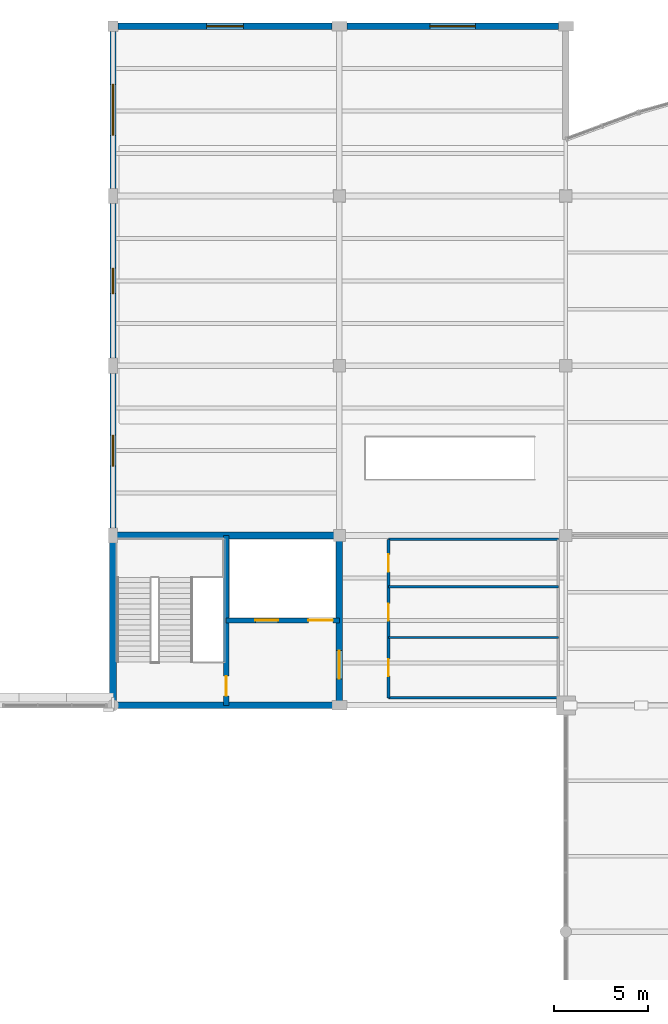
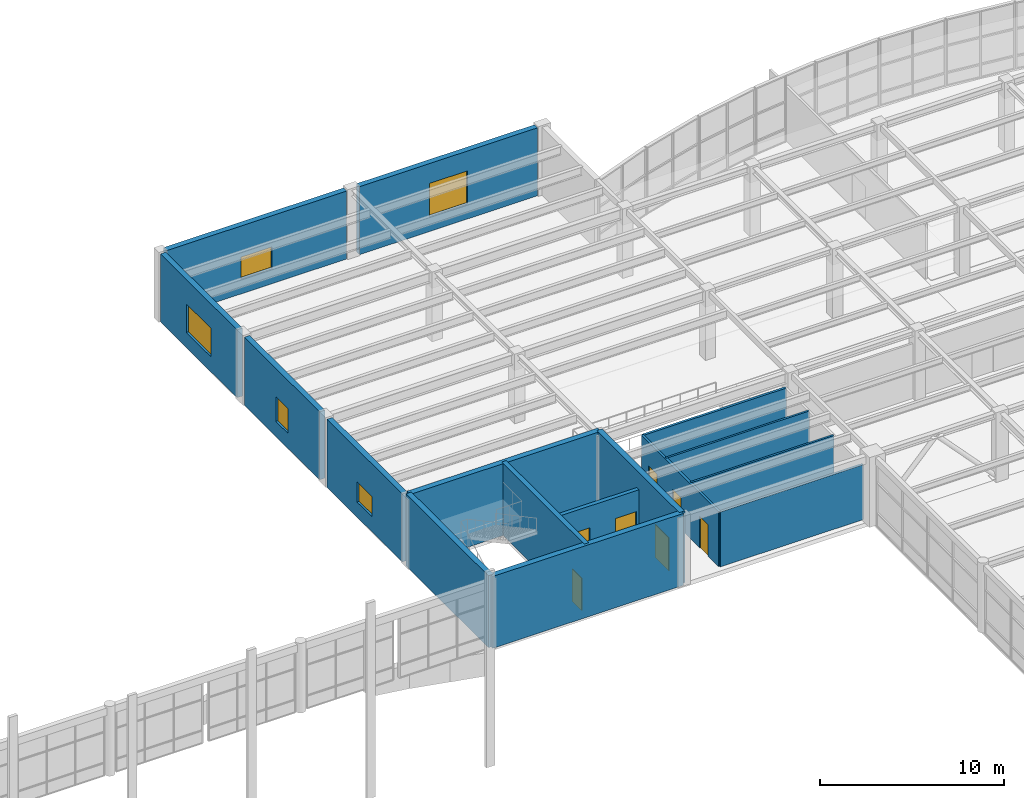
# One storey, part 46 of 63: 16 walls, 7 doors, 5 windows, 12 openings.
"""IFC4 building model written with IfcOpenShell, lengths in metres."""

from ifc_helpers import new_model, si_unit, direction, frame, frame_2d, origin, place, context, subcontext, project, spatial, rectangle, extrude, material, layer, layer_set, type_object, element, fill, save


model = new_model("IFC4")

# Units and contexts
model_context = context("Model", 3, precision=1e-05, world=origin(), true_north=direction((0.0, 1.0)))
body_context = subcontext(model_context, "Body", "Model", "MODEL_VIEW")
ifc_project = project(units=[si_unit("LENGTHUNIT", "METRE"), si_unit("AREAUNIT", "SQUARE_METRE"), si_unit("VOLUMEUNIT", "CUBIC_METRE"), si_unit("PLANEANGLEUNIT", "RADIAN"), si_unit("MASSUNIT", "GRAM", prefix="KILO")], contexts=[model_context])

# Site, building, storey
site_placement = place(None, origin())
site = spatial("IfcSite", under=ifc_project, at=site_placement, CompositionType="ELEMENT")
building_placement = place(site_placement, origin())
building = spatial("IfcBuilding", under=site, at=building_placement, Name="Keelwater Ferry Terminal", CompositionType="ELEMENT")
storey_placement = place(building_placement, frame((0.0, 0.0, 10.199951171875)))
storey = spatial("IfcBuildingStorey", under=building, at=storey_placement, Name="L02", CompositionType="ELEMENT", Elevation=10.199951171875)

# Wall, opening, window
ifc_material_1 = material(Name="Precast concrete C40/50", Category="concrete")
ifc_layer_1 = layer(ifc_material_1, 0.340087890625)
ifc_layer_set_1 = layer_set([ifc_layer_1], Name="Precast concrete C40/50")
wall_type_1 = type_object("IfcWallType", Name="EW-LM340 External Solid Wall 340", PredefinedType="SOLIDWALL", material=ifc_layer_set_1)
wall_1_placement = place(storey_placement, frame((108.0, 107.60009765625, 0.0), z_axis=(0.0, 0.0, 1.0), x_axis=(0.0, -1.0, 0.0)))
wall_1 = element("IfcWall", 1, at=wall_1_placement, inside=storey, type_object=wall_type_1, Name="External Wall WL-L02-0101", PredefinedType="SOLIDWALL", context=body_context, shape_type="SweptSolid", body=[
    extrude(rectangle(XDim=8.2001953125, YDim=0.340087890625, at=frame_2d((4.10009765625, 0.0))), origin(), (0.0, 0.0, 1.0), 4.52001953125),
])
opening_1_placement = place(wall_1_placement, frame((3.27490234375, 0.0, 1.0)))
opening_1 = element("IfcOpeningElement", 2, at=opening_1_placement, cuts=wall_1, Name="Opening WN-29", PredefinedType="OPENING", context=body_context, shape_type="SweptSolid", body=[
    extrude(rectangle(XDim=1.64990234375, YDim=1.35009765625, at=frame_2d((0.824951171875, 0.675048828125))), frame((0.0, 0.179931640625, 0.0), z_axis=(0.0, -1.0, 0.0), x_axis=(1.0, 0.0, 0.0)), (0.0, 0.0, 1.0), 0.360107421875),
])
ifc_material_2 = material(Name="Triple low-E glass in thermally broken aluminium frame", Category="aluminium")
window_type_1 = type_object("IfcWindowType", Name="WN-29 Exterior Window 1650x1350", PartitioningType="SINGLE_PANEL", PredefinedType="WINDOW", material=ifc_material_2)
window_1_placement = place(opening_1_placement, origin())
window_1 = element("IfcWindow", 3, at=window_1_placement, inside=storey, type_object=window_type_1, Name="Window WN-L02-0064", OverallHeight=1.35009765625, OverallWidth=1.64990234375, PartitioningType="SINGLE_PANEL", PredefinedType="WINDOW", context=body_context, shape_type="SweptSolid", body=[
    extrude(rectangle(XDim=1.64990234375, YDim=1.35009765625, at=frame_2d((0.824951171875, 0.675048828125))), frame((0.0, 0.030029296875, 0.0), z_axis=(0.0, -1.0, 0.0), x_axis=(1.0, 0.0, 0.0)), (0.0, 0.0, 1.0), 0.06005859375),
])
fill(opening_1, window_1)

wall_2_placement = place(storey_placement, frame((108.0, 116.60009765625, 0.0), z_axis=(0.0, 0.0, 1.0), x_axis=(0.0, -1.0, 0.0)))
wall_2 = element("IfcWall", 4, at=wall_2_placement, inside=storey, type_object=wall_type_1, Name="External Wall WL-L02-0102", PredefinedType="SOLIDWALL", context=body_context, shape_type="SweptSolid", body=[
    extrude(rectangle(XDim=8.2001953125, YDim=0.340087890625, at=frame_2d((4.10009765625, 0.0))), origin(), (0.0, 0.0, 1.0), 4.52001953125),
])
opening_2_placement = place(wall_2_placement, frame((3.425048828125, 0.0, 1.0)))
opening_2 = element("IfcOpeningElement", 5, at=opening_2_placement, cuts=wall_2, Name="Opening WN-30", PredefinedType="OPENING", context=body_context, shape_type="SweptSolid", body=[
    extrude(rectangle(XDim=1.35009765625, YDim=1.64990234375, at=frame_2d((0.675048828125, 0.824951171875))), frame((0.0, 0.179931640625, 0.0), z_axis=(0.0, -1.0, 0.0), x_axis=(1.0, 0.0, 0.0)), (0.0, 0.0, 1.0), 0.360107421875),
])
ifc_material_3 = material(Name="Triple low-E glass in thermally broken aluminium frame", Category="aluminium")
window_type_2 = type_object("IfcWindowType", Name="WN-30 Exterior Window 1350x1650", PartitioningType="SINGLE_PANEL", PredefinedType="WINDOW", material=ifc_material_3)
window_2_placement = place(opening_2_placement, origin())
window_2 = element("IfcWindow", 6, at=window_2_placement, inside=storey, type_object=window_type_2, Name="Window WN-L02-0065", OverallHeight=1.64990234375, OverallWidth=1.35009765625, PartitioningType="SINGLE_PANEL", PredefinedType="WINDOW", context=body_context, shape_type="SweptSolid", body=[
    extrude(rectangle(XDim=1.35009765625, YDim=1.64990234375, at=frame_2d((0.675048828125, 0.824951171875))), frame((0.0, 0.030029296875, 0.0), z_axis=(0.0, -1.0, 0.0), x_axis=(1.0, 0.0, 0.0)), (0.0, 0.0, 1.0), 0.06005859375),
])
fill(opening_2, window_2)

wall_3_placement = place(storey_placement, frame((108.0, 125.72509765625, 0.0), z_axis=(0.0, 0.0, 1.0), x_axis=(0.0, -1.0, 0.0)))
wall_3 = element("IfcWall", 7, at=wall_3_placement, inside=storey, type_object=wall_type_1, Name="External Wall WL-L02-0103", PredefinedType="SOLIDWALL", context=body_context, shape_type="SweptSolid", body=[
    extrude(rectangle(XDim=8.3251953125, YDim=0.340087890625, at=frame_2d((4.16259765625, 0.0))), origin(), (0.0, 0.0, 1.0), 4.52001953125),
])
opening_3_placement = place(wall_3_placement, frame((2.81201171875, 0.0, 1.0)))
opening_3 = element("IfcOpeningElement", 8, at=opening_3_placement, cuts=wall_3, Name="Opening WN-31", PredefinedType="OPENING", context=body_context, shape_type="SweptSolid", body=[
    extrude(rectangle(XDim=2.699951171875, YDim=1.89990234375, at=frame_2d((1.35009765625, 0.949951171875))), frame((0.0, 0.179931640625, 0.0), z_axis=(0.0, -1.0, 0.0), x_axis=(1.0, 0.0, 0.0)), (0.0, 0.0, 1.0), 0.360107421875),
])
ifc_material_4 = material(Name="Triple low-E glass in thermally broken aluminium frame", Category="aluminium")
window_type_3 = type_object("IfcWindowType", Name="WN-31 Exterior Window 2700x1900", PartitioningType="SINGLE_PANEL", PredefinedType="WINDOW", material=ifc_material_4)
window_3_placement = place(opening_3_placement, origin())
window_3 = element("IfcWindow", 9, at=window_3_placement, inside=storey, type_object=window_type_3, Name="Window WN-L02-0066", OverallHeight=1.89990234375, OverallWidth=2.699951171875, PartitioningType="SINGLE_PANEL", PredefinedType="WINDOW", context=body_context, shape_type="SweptSolid", body=[
    extrude(rectangle(XDim=2.699951171875, YDim=1.89990234375, at=frame_2d((1.35009765625, 0.949951171875))), frame((0.0, 0.030029296875, 0.0), z_axis=(0.0, -1.0, 0.0), x_axis=(1.0, 0.0, 0.0)), (0.0, 0.0, 1.0), 0.06005859375),
])
fill(opening_3, window_3)

wall_4_placement = place(storey_placement, frame((108.27490234375, 126.0, 0.0), z_axis=(0.0, 0.0, 1.0), x_axis=(1.0, 0.0, 0.0)))
wall_4 = element("IfcWall", 10, at=wall_4_placement, inside=storey, type_object=wall_type_1, Name="External Wall WL-L02-0106", PredefinedType="SOLIDWALL", context=body_context, shape_type="SweptSolid", body=[
    extrude(rectangle(XDim=11.3251953125, YDim=0.340087890625, at=frame_2d((5.66259765625, 0.0))), origin(), (0.0, 0.0, 1.0), 4.52001953125),
])
opening_4_placement = place(wall_4_placement, frame((4.68701171875, 0.0, 1.0)))
opening_4 = element("IfcOpeningElement", 11, at=opening_4_placement, cuts=wall_4, Name="Opening WN-32", PredefinedType="OPENING", context=body_context, shape_type="SweptSolid", body=[
    extrude(rectangle(XDim=1.949951171875, YDim=1.449951171875, at=frame_2d((0.97509765625, 0.72509765625))), frame((0.0, 0.179931640625, 0.0), z_axis=(0.0, -1.0, 0.0), x_axis=(1.0, 0.0, 0.0)), (0.0, 0.0, 1.0), 0.360107421875),
])
ifc_material_5 = material(Name="Triple low-E glass in thermally broken aluminium frame", Category="aluminium")
window_type_4 = type_object("IfcWindowType", Name="WN-32 Exterior Window 1950x1450", PartitioningType="SINGLE_PANEL", PredefinedType="WINDOW", material=ifc_material_5)
window_4_placement = place(opening_4_placement, origin())
window_4 = element("IfcWindow", 12, at=window_4_placement, inside=storey, type_object=window_type_4, Name="Window WN-L02-0067", OverallHeight=1.449951171875, OverallWidth=1.949951171875, PartitioningType="SINGLE_PANEL", PredefinedType="WINDOW", context=body_context, shape_type="SweptSolid", body=[
    extrude(rectangle(XDim=1.949951171875, YDim=1.449951171875, at=frame_2d((0.97509765625, 0.72509765625))), frame((0.0, 0.030029296875, 0.0), z_axis=(0.0, -1.0, 0.0), x_axis=(1.0, 0.0, 0.0)), (0.0, 0.0, 1.0), 0.06005859375),
])
fill(opening_4, window_4)

wall_5_placement = place(storey_placement, frame((120.39990234375, 126.0, 0.0), z_axis=(0.0, 0.0, 1.0), x_axis=(1.0, 0.0, 0.0)))
wall_5 = element("IfcWall", 13, at=wall_5_placement, inside=storey, type_object=wall_type_1, Name="External Wall WL-L02-0107", PredefinedType="SOLIDWALL", context=body_context, shape_type="SweptSolid", body=[
    extrude(rectangle(XDim=11.2001953125, YDim=0.340087890625, at=frame_2d((5.60009765625, 0.0))), origin(), (0.0, 0.0, 1.0), 4.52001953125),
])
opening_5_placement = place(wall_5_placement, frame((4.39990234375, 0.0, 1.0)))
opening_5 = element("IfcOpeningElement", 14, at=opening_5_placement, cuts=wall_5, Name="Opening WN-01", PredefinedType="OPENING", context=body_context, shape_type="SweptSolid", body=[
    extrude(rectangle(XDim=2.39990234375, YDim=2.199951171875, at=frame_2d((1.199951171875, 1.10009765625))), frame((0.0, 0.179931640625, 0.0), z_axis=(0.0, -1.0, 0.0), x_axis=(1.0, 0.0, 0.0)), (0.0, 0.0, 1.0), 0.360107421875),
])
ifc_material_6 = material(Name="Triple low-E glass in thermally broken aluminium frame", Category="aluminium")
window_type_5 = type_object("IfcWindowType", Name="WN-01 Exterior Window 2400x2200", PartitioningType="SINGLE_PANEL", PredefinedType="WINDOW", material=ifc_material_6)
window_5_placement = place(opening_5_placement, origin())
window_5 = element("IfcWindow", 15, at=window_5_placement, inside=storey, type_object=window_type_5, Name="Window WN-L02-0068", OverallHeight=2.199951171875, OverallWidth=2.39990234375, PartitioningType="SINGLE_PANEL", PredefinedType="WINDOW", context=body_context, shape_type="SweptSolid", body=[
    extrude(rectangle(XDim=2.39990234375, YDim=2.199951171875, at=frame_2d((1.199951171875, 1.10009765625))), frame((0.0, 0.030029296875, 0.0), z_axis=(0.0, -1.0, 0.0), x_axis=(1.0, 0.0, 0.0)), (0.0, 0.0, 1.0), 0.06005859375),
])
fill(opening_5, window_5)

# Wall, openings, doors
ifc_material_7 = material(Name="Concrete C40/50", Category="concrete")
ifc_layer_2 = layer(ifc_material_7, 0.25)
ifc_layer_set_2 = layer_set([ifc_layer_2], Name="Concrete C40/50")
wall_type_2 = type_object("IfcWallType", Name="IW-250 Solid Wall 250", PredefinedType="SOLIDWALL", material=ifc_layer_set_2)
wall_6_placement = place(storey_placement, frame((120.0, 94.5, 0.0), z_axis=(0.0, 0.0, 1.0), x_axis=(-1.0, 0.0, 0.0)))
wall_6 = element("IfcWall", 16, at=wall_6_placement, inside=storey, type_object=wall_type_2, Name="Interior Wall WL-INT-L02-0036", PredefinedType="SOLIDWALL", context=body_context, shape_type="SweptSolid", body=[
    extrude(rectangle(XDim=6.0, YDim=0.25, at=frame_2d((3.0, 0.0))), origin(), (0.0, 0.0, 1.0), 3.650146484375),
])
opening_6_placement = place(wall_6_placement, frame((0.35009765625, 0.0, 0.0)))
opening_6 = element("IfcOpeningElement", 17, at=opening_6_placement, cuts=wall_6, Name="Opening LD-011", PredefinedType="OPENING", context=body_context, shape_type="SweptSolid", body=[
    extrude(rectangle(XDim=1.300048828125, YDim=2.25, at=frame_2d((0.64990234375, 1.125))), frame((0.0, 0.135009765625, 0.0), z_axis=(0.0, -1.0, 0.0), x_axis=(1.0, 0.0, 0.0)), (0.0, 0.0, 1.0), 0.27001953125),
])
opening_7_placement = place(wall_6_placement, frame((3.25, 0.0, 0.0)))
opening_7 = element("IfcOpeningElement", 18, at=opening_7_placement, cuts=wall_6, Name="Opening LD-012", PredefinedType="OPENING", context=body_context, shape_type="SweptSolid", body=[
    extrude(rectangle(XDim=1.199951171875, YDim=2.199951171875, at=frame_2d((0.60009765625, 1.10009765625))), frame((0.0, 0.135009765625, 0.0), z_axis=(0.0, -1.0, 0.0), x_axis=(1.0, 0.0, 0.0)), (0.0, 0.0, 1.0), 0.27001953125),
])
ifc_material_8 = material(Name="Stainless steel sliding landing doors", Category="steel")
door_type_1 = type_object("IfcDoorType", Name="LD-T2 Lift Landing Door 1200x2200", OperationType="DOUBLE_DOOR_SLIDING", PredefinedType="USERDEFINED", material=ifc_material_8)
door_1_placement = place(opening_7_placement, origin())
door_1 = element("IfcDoor", 19, at=door_1_placement, inside=storey, type_object=door_type_1, Name="Door LD-012", ObjectType="LANDING DOOR", OperationType="DOUBLE_DOOR_SLIDING", OverallHeight=2.199951171875, OverallWidth=1.199951171875, PredefinedType="USERDEFINED", context=body_context, shape_type="SweptSolid", body=[
    extrude(rectangle(XDim=1.199951171875, YDim=2.199951171875, at=frame_2d((0.60009765625, 1.10009765625))), frame((0.0, 0.02490234375, 0.0), z_axis=(0.0, -1.0, 0.0), x_axis=(1.0, 0.0, 0.0)), (0.0, 0.0, 1.0), 0.050048828125),
])
fill(opening_7, door_1)
ifc_material_9 = material(Name="Stainless steel sliding landing doors", Category="steel")
door_type_2 = type_object("IfcDoorType", Name="LD-T3 Lift Landing Door 1300x2250", OperationType="DOUBLE_DOOR_SLIDING", PredefinedType="USERDEFINED", material=ifc_material_9)
door_2_placement = place(opening_6_placement, origin())
door_2 = element("IfcDoor", 20, at=door_2_placement, inside=storey, type_object=door_type_2, Name="Door LD-011", ObjectType="LANDING DOOR", OperationType="DOUBLE_DOOR_SLIDING", OverallHeight=2.25, OverallWidth=1.300048828125, PredefinedType="USERDEFINED", context=body_context, shape_type="SweptSolid", body=[
    extrude(rectangle(XDim=1.300048828125, YDim=2.25, at=frame_2d((0.64990234375, 1.125))), frame((0.0, 0.02490234375, 0.0), z_axis=(0.0, -1.0, 0.0), x_axis=(1.0, 0.0, 0.0)), (0.0, 0.0, 1.0), 0.050048828125),
])
fill(opening_6, door_2)

# Walls
ifc_material_10 = material(Name="Gypsum board on acoustic steel stud", Category="steel")
ifc_layer_3 = layer(ifc_material_10, 0.125)
ifc_layer_set_3 = layer_set([ifc_layer_3], Name="Gypsum board on acoustic steel stud")
wall_type_3 = type_object("IfcWallType", Name="PT-125 Partition Wall 125", PredefinedType="PARTITIONING", material=ifc_layer_set_3)
for number, where, z_axis, x_axis, name in (
    (21, (122.60009765625, 93.592041015625, 0.0), (0.0, 0.0, 1.0), (1.0, 0.0, 0.0), "Interior Wall WL-INT-L02-0182"),
    (22, (122.60009765625, 96.280029296875, 0.0), (0.0, 0.0, 1.0), (1.0, 0.0, 0.0), "Interior Wall WL-INT-L02-0183"),
):
    element("IfcWall", number, at=place(storey_placement, frame(where, z_axis=z_axis, x_axis=x_axis)), inside=storey, type_object=wall_type_3, Name=name, PredefinedType="PARTITIONING", context=body_context, shape_type="SweptSolid", body=[
        extrude(rectangle(XDim=9.0, YDim=0.125, at=frame_2d((4.5, 0.0))), origin(), (0.0, 0.0, 1.0), 3.650146484375),
    ])

# Wall, openings, doors
ifc_material_11 = material(Name="Gypsum board on acoustic steel stud", Category="steel")
ifc_layer_4 = layer(ifc_material_11, 0.14990234375)
ifc_layer_set_4 = layer_set([ifc_layer_4], Name="Gypsum board on acoustic steel stud")
wall_type_4 = type_object("IfcWallType", Name="PT-150 Partition Wall 150", PredefinedType="PARTITIONING", material=ifc_layer_set_4)
wall_7_placement = place(storey_placement, frame((122.60009765625, 90.39990234375, 0.0), z_axis=(0.0, 0.0, 1.0), x_axis=(0.0, 1.0, 0.0)))
wall_7 = element("IfcWall", 23, at=wall_7_placement, inside=storey, type_object=wall_type_4, Name="Interior Wall WL-INT-L02-0178", PredefinedType="PARTITIONING", context=body_context, shape_type="SweptSolid", body=[
    extrude(rectangle(XDim=8.400146484375, YDim=0.14990234375, at=frame_2d((4.2001953125, 0.0))), origin(), (0.0, 0.0, 1.0), 3.650146484375),
])
opening_8_placement = place(wall_7_placement, frame((1.14599609375, 0.0, 0.0)))
opening_8 = element("IfcOpeningElement", 24, at=opening_8_placement, cuts=wall_7, Name="Opening WD-016", PredefinedType="OPENING", context=body_context, shape_type="SweptSolid", body=[
    extrude(rectangle(XDim=0.89990234375, YDim=2.10009765625, at=frame_2d((0.449951171875, 1.050048828125))), frame((0.0, 0.0849609375, 0.0), z_axis=(0.0, -1.0, 0.0), x_axis=(1.0, 0.0, 0.0)), (0.0, 0.0, 1.0), 0.169921875),
])
opening_9_placement = place(wall_7_placement, frame((4.0859375, 0.0, 0.0)))
opening_9 = element("IfcOpeningElement", 25, at=opening_9_placement, cuts=wall_7, Name="Opening WD-017", PredefinedType="OPENING", context=body_context, shape_type="SweptSolid", body=[
    extrude(rectangle(XDim=0.89990234375, YDim=2.10009765625, at=frame_2d((0.449951171875, 1.050048828125))), frame((0.0, 0.0849609375, 0.0), z_axis=(0.0, -1.0, 0.0), x_axis=(1.0, 0.0, 0.0)), (0.0, 0.0, 1.0), 0.169921875),
])
opening_10_placement = place(wall_7_placement, frame((6.679931640625, 0.0, 0.0)))
opening_10 = element("IfcOpeningElement", 26, at=opening_10_placement, cuts=wall_7, Name="Opening WD-018", PredefinedType="OPENING", context=body_context, shape_type="SweptSolid", body=[
    extrude(rectangle(XDim=0.919921875, YDim=2.10009765625, at=frame_2d((0.4599609375, 1.050048828125))), frame((0.0, 0.0849609375, 0.0), z_axis=(0.0, -1.0, 0.0), x_axis=(1.0, 0.0, 0.0)), (0.0, 0.0, 1.0), 0.169921875),
])
ifc_material_12 = material(Name="Acoustic oak and fire-rated steel frame door", Category="steel")
door_type_3 = type_object("IfcDoorType", Name="ID-09 Pedestrian Door 920x2100", OperationType="NOTDEFINED", PredefinedType="DOOR", material=ifc_material_12)
door_3_placement = place(opening_10_placement, origin())
door_3 = element("IfcDoor", 27, at=door_3_placement, inside=storey, type_object=door_type_3, Name="Door WD-018", OperationType="SINGLE_SWING_RIGHT", OverallHeight=2.10009765625, OverallWidth=0.919921875, PredefinedType="DOOR", context=body_context, shape_type="SweptSolid", body=[
    extrude(rectangle(XDim=0.919921875, YDim=2.10009765625, at=frame_2d((0.4599609375, 1.050048828125))), frame((0.0, 0.02490234375, 0.0), z_axis=(0.0, -1.0, 0.0), x_axis=(1.0, 0.0, 0.0)), (0.0, 0.0, 1.0), 0.050048828125),
])
fill(opening_10, door_3)
ifc_material_13 = material(Name="Acoustic oak and fire-rated steel frame door", Category="steel")
door_type_4 = type_object("IfcDoorType", Name="ID-10 Pedestrian Door 900x2100", OperationType="NOTDEFINED", PredefinedType="DOOR", material=ifc_material_13)
door_4_placement = place(opening_8_placement, origin())
door_4 = element("IfcDoor", 28, at=door_4_placement, inside=storey, type_object=door_type_4, Name="Door WD-016", OperationType="SINGLE_SWING_RIGHT", OverallHeight=2.10009765625, OverallWidth=0.89990234375, PredefinedType="DOOR", context=body_context, shape_type="SweptSolid", body=[
    extrude(rectangle(XDim=0.89990234375, YDim=2.10009765625, at=frame_2d((0.449951171875, 1.050048828125))), frame((0.0, 0.02490234375, 0.0), z_axis=(0.0, -1.0, 0.0), x_axis=(1.0, 0.0, 0.0)), (0.0, 0.0, 1.0), 0.050048828125),
])
fill(opening_8, door_4)
door_5_placement = place(opening_9_placement, origin())
door_5 = element("IfcDoor", 29, at=door_5_placement, inside=storey, type_object=door_type_4, Name="Door WD-017", OperationType="SINGLE_SWING_LEFT", OverallHeight=2.10009765625, OverallWidth=0.89990234375, PredefinedType="DOOR", context=body_context, shape_type="SweptSolid", body=[
    extrude(rectangle(XDim=0.89990234375, YDim=2.10009765625, at=frame_2d((0.449951171875, 1.050048828125))), frame((0.0, 0.02490234375, 0.0), z_axis=(0.0, -1.0, 0.0), x_axis=(1.0, 0.0, 0.0)), (0.0, 0.0, 1.0), 0.050048828125),
])
fill(opening_9, door_5)

# Walls
for number, where, z_axis, x_axis, name in (
    (30, (122.60009765625, 98.800048828125, 0.0), (0.0, 0.0, 1.0), (1.0, 0.0, 0.0), "Interior Wall WL-INT-L02-0180"),
    (31, (122.60009765625, 90.39990234375, 0.0), (0.0, 0.0, 1.0), (1.0, 0.0, 0.0), "Interior Wall WL-INT-L02-0181"),
):
    element("IfcWall", number, at=place(storey_placement, frame(where, z_axis=z_axis, x_axis=x_axis)), inside=storey, type_object=wall_type_4, Name=name, PredefinedType="PARTITIONING", context=body_context, shape_type="SweptSolid", body=[
        extrude(rectangle(XDim=9.0, YDim=0.14990234375, at=frame_2d((4.5, 0.0))), origin(), (0.0, 0.0, 1.0), 3.650146484375),
    ])

# Wall, opening, door
ifc_material_14 = material(Name="Concrete C45/55", Category="concrete")
ifc_layer_5 = layer(ifc_material_14, 0.300048828125)
ifc_layer_set_5 = layer_set([ifc_layer_5], Name="Concrete C45/55")
wall_type_5 = type_object("IfcWallType", Name="SW-300 Shear Wall 300", PredefinedType="SHEAR", material=ifc_layer_set_5)
wall_8_placement = place(storey_placement, frame((114.0, 99.0, 0.0), z_axis=(0.0, 0.0, 1.0), x_axis=(0.0, -1.0, 0.0)))
wall_8 = element("IfcWall", 32, at=wall_8_placement, inside=storey, type_object=wall_type_5, Name="Interior Wall WL-INT-L02-0035", PredefinedType="SHEAR", context=body_context, shape_type="SweptSolid", body=[
    extrude(rectangle(XDim=9.0, YDim=0.300048828125, at=frame_2d((4.5, 0.0))), origin(), (0.0, 0.0, 1.0), 4.780029296875),
])
opening_11_placement = place(wall_8_placement, frame((7.449951171875, 0.0, 0.0)))
opening_11 = element("IfcOpeningElement", 33, at=opening_11_placement, cuts=wall_8, Name="Opening FD-011", PredefinedType="OPENING", context=body_context, shape_type="SweptSolid", body=[
    extrude(rectangle(XDim=1.050048828125, YDim=2.14990234375, at=frame_2d((0.52490234375, 1.074951171875))), frame((0.0, 0.159912109375, 0.0), z_axis=(0.0, -1.0, 0.0), x_axis=(1.0, 0.0, 0.0)), (0.0, 0.0, 1.0), 0.320068359375),
])
ifc_material_15 = material(Name="Acoustic oak and fire-rated steel frame door", Category="steel")
door_type_5 = type_object("IfcDoorType", Name="ID-06 Pedestrian Door 1050x2150", OperationType="NOTDEFINED", PredefinedType="DOOR", material=ifc_material_15)
door_6_placement = place(opening_11_placement, origin())
door_6 = element("IfcDoor", 34, at=door_6_placement, inside=storey, type_object=door_type_5, Name="Door FD-011", OperationType="SINGLE_SWING_LEFT", OverallHeight=2.14990234375, OverallWidth=1.050048828125, PredefinedType="DOOR", context=body_context, shape_type="SweptSolid", body=[
    extrude(rectangle(XDim=1.050048828125, YDim=2.14990234375, at=frame_2d((0.52490234375, 1.074951171875))), frame((0.0, 0.02490234375, 0.0), z_axis=(0.0, -1.0, 0.0), x_axis=(1.0, 0.0, 0.0)), (0.0, 0.0, 1.0), 0.050048828125),
])
fill(opening_11, door_6)

# Walls
ifc_material_16 = material(Name="Concrete C45/55", Category="concrete")
ifc_layer_6 = layer(ifc_material_16, 0.35009765625)
ifc_layer_set_6 = layer_set([ifc_layer_6], Name="Concrete C45/55")
wall_type_6 = type_object("IfcWallType", Name="SW-350 Shear Wall 350", PredefinedType="SHEAR", material=ifc_layer_set_6)
for number, where, z_axis, x_axis, name in (
    (35, (108.0, 90.0, 0.0), (0.0, 0.0, 1.0), (1.0, 0.0, 0.0), "Interior Wall WL-INT-L02-0031"),
    (36, (108.0, 99.0, 0.0), (0.0, 0.0, 1.0), (1.0, 0.0, 0.0), "Interior Wall WL-INT-L02-0032"),
):
    element("IfcWall", number, at=place(storey_placement, frame(where, z_axis=z_axis, x_axis=x_axis)), inside=storey, type_object=wall_type_6, Name=name, PredefinedType="SHEAR", context=body_context, shape_type="SweptSolid", body=[
        extrude(rectangle(XDim=12.0, YDim=0.35009765625, at=frame_2d((6.0, 0.0))), origin(), (0.0, 0.0, 1.0), 4.780029296875),
    ])
wall_9_placement = place(storey_placement, frame((108.0, 90.0, 0.0), z_axis=(0.0, 0.0, 1.0), x_axis=(0.0, 1.0, 0.0)))
element("IfcWall", 37, at=wall_9_placement, inside=storey, type_object=wall_type_6, Name="Interior Wall WL-INT-L02-0033", PredefinedType="SHEAR", context=body_context, shape_type="SweptSolid", body=[
    extrude(rectangle(XDim=9.0, YDim=0.35009765625, at=frame_2d((4.5, 0.0))), origin(), (0.0, 0.0, 1.0), 4.780029296875),
])

# Wall, opening, door
wall_10_placement = place(storey_placement, frame((120.0, 90.0, 0.0), z_axis=(0.0, 0.0, 1.0), x_axis=(0.0, 1.0, 0.0)))
wall_10 = element("IfcWall", 38, at=wall_10_placement, inside=storey, type_object=wall_type_6, Name="Interior Wall WL-INT-L02-0034", PredefinedType="SHEAR", context=body_context, shape_type="SweptSolid", body=[
    extrude(rectangle(XDim=9.0, YDim=0.35009765625, at=frame_2d((4.5, 0.0))), origin(), (0.0, 0.0, 1.0), 4.780029296875),
])
opening_12_placement = place(wall_10_placement, frame((1.39990234375, 0.0, 0.0)))
opening_12 = element("IfcOpeningElement", 39, at=opening_12_placement, cuts=wall_10, Name="Opening FD-012", PredefinedType="OPENING", context=body_context, shape_type="SweptSolid", body=[
    extrude(rectangle(XDim=1.5, YDim=2.199951171875, at=frame_2d((0.75, 1.10009765625))), frame((0.0, 0.18505859375, 0.0), z_axis=(0.0, -1.0, 0.0), x_axis=(1.0, 0.0, 0.0)), (0.0, 0.0, 1.0), 0.3701171875),
])
ifc_material_17 = material(Name="Acoustic oak and fire-rated steel frame door", Category="steel")
door_type_6 = type_object("IfcDoorType", Name="ID-02 Pedestrian Door 1500x2200", OperationType="DOUBLE_DOOR_SINGLE_SWING", PredefinedType="DOOR", material=ifc_material_17)
door_7_placement = place(opening_12_placement, origin())
door_7 = element("IfcDoor", 40, at=door_7_placement, inside=storey, type_object=door_type_6, Name="Door FD-012", OperationType="DOUBLE_DOOR_SINGLE_SWING", OverallHeight=2.199951171875, OverallWidth=1.5, PredefinedType="DOOR", context=body_context, shape_type="SweptSolid", body=[
    extrude(rectangle(XDim=1.5, YDim=2.199951171875, at=frame_2d((0.75, 1.10009765625))), frame((0.0, 0.02490234375, 0.0), z_axis=(0.0, -1.0, 0.0), x_axis=(1.0, 0.0, 0.0)), (0.0, 0.0, 1.0), 0.050048828125),
])
fill(opening_12, door_7)

save(model, "model.ifc")
